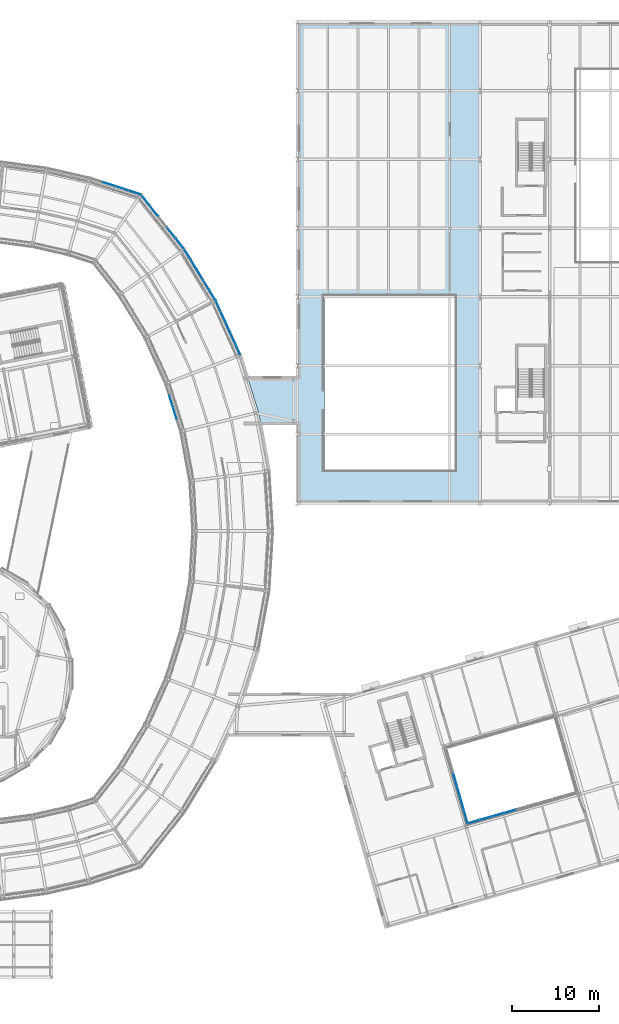
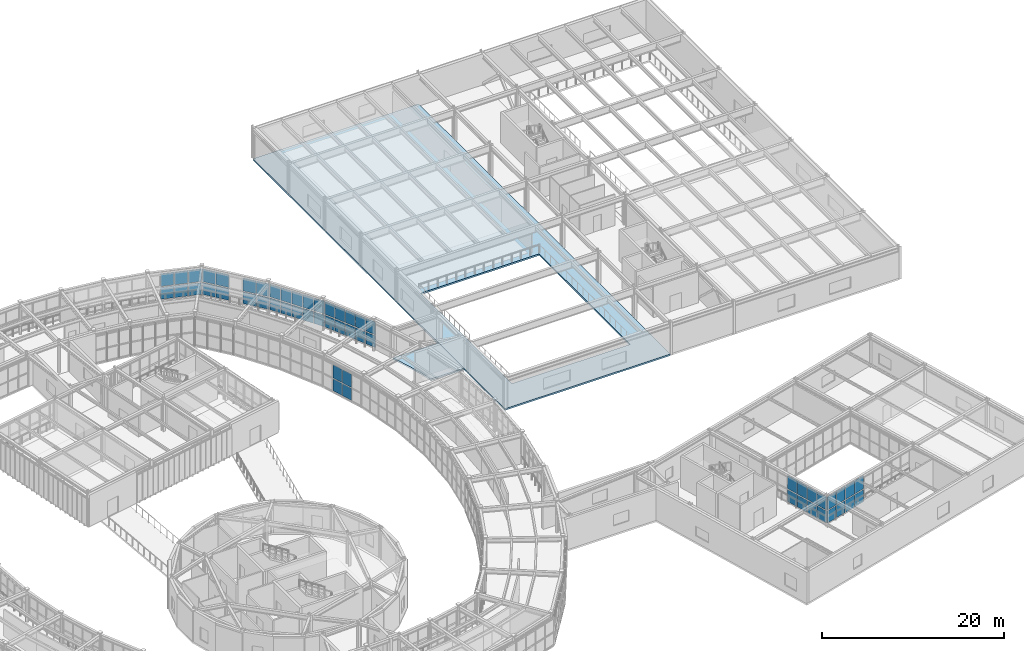
# One storey, part 67 of 103: 54 plates, 2 slabs, 7 elements without a shape of their own.
"""IFC4 building model written with IfcOpenShell, lengths in metres."""

from ifc_helpers import new_model, si_unit, direction, frame, origin, origin_2d, place, context, subcontext, project, spatial, polyline, rectangle, outline, extrude, material, layer, layer_set, type_object, element, aggregate, save


model = new_model("IFC4")

# Units and contexts
model_context = context("Model", 3, precision=1e-05, world=origin(), true_north=direction((0.0, 1.0)))
body_context = subcontext(model_context, "Body", "Model", "MODEL_VIEW")
ifc_project = project(units=[si_unit("LENGTHUNIT", "METRE"), si_unit("AREAUNIT", "SQUARE_METRE"), si_unit("VOLUMEUNIT", "CUBIC_METRE"), si_unit("PLANEANGLEUNIT", "RADIAN"), si_unit("MASSUNIT", "GRAM", prefix="KILO")], contexts=[model_context])

# Site, building, storey
site_placement = place(None, origin())
site = spatial("IfcSite", under=ifc_project, at=site_placement, CompositionType="ELEMENT")
building_placement = place(site_placement, origin())
building = spatial("IfcBuilding", under=site, at=building_placement, Name="Varnklinge Art Gallery", CompositionType="ELEMENT")
storey_placement = place(building_placement, frame((0.0, 0.0, 5.10009765625)))
storey = spatial("IfcBuildingStorey", under=building, at=storey_placement, Name="L01", CompositionType="ELEMENT", Elevation=5.10009765625)

# Curtain wall, plates
ifc_material_1 = material(Name="Anodised Aluminium", Category="aluminium")
curtain_wall_type_1 = type_object("IfcCurtainWallType", Name="CW-R04", PredefinedType="USERDEFINED", material=ifc_material_1)
curtain_wall_1_placement = place(storey_placement, origin())
curtain_wall_1 = element("IfcCurtainWall", 1, at=curtain_wall_1_placement, inside=storey, type_object=curtain_wall_type_1, Name="L01 Curtain Wall CW-V2I-L01-09", ObjectType="UNITISED CURTAIN WALL", PredefinedType="USERDEFINED")
ifc_material_2 = material(Name="Insulated Low-E Triple Glazing", Category="glass")
ifc_layer_1 = layer(ifc_material_2, 0.031982421875)
ifc_layer_set_1 = layer_set([ifc_layer_1], Name="Insulated Low-E Triple Glazing")
plate_type_1 = type_object("IfcPlateType", Name="GLZ-32", PredefinedType="CURTAIN_PANEL", material=ifc_layer_set_1)
plate_1_placement = place(storey_placement, frame((99.91259765625, 69.8662109375, 0.11767578125), z_axis=(0.0, 0.0, 1.0), x_axis=(0.299706904751, -0.954031326134, 0.0)))
plate_1 = element("IfcPlate", 2, at=plate_1_placement, type_object=plate_type_1, Name="CW-V2I-L01-09 Glazing Panel 2.1", PredefinedType="CURTAIN_PANEL", context=body_context, shape_type="SweptSolid", body=[
    extrude(rectangle(XDim=1.3857421875, YDim=0.031982421875, at=origin_2d()), origin(), (0.0, 0.0, 1.0), 1.614501953125),
])
plate_2_placement = place(storey_placement, frame((99.91259765625, 69.8662109375, 1.84814453125), z_axis=(0.0, 0.0, 1.0), x_axis=(0.299706904751, -0.954031326134, 0.0)))
plate_2 = element("IfcPlate", 3, at=plate_2_placement, type_object=plate_type_1, Name="CW-V2I-L01-09 Glazing Panel 2.2", PredefinedType="CURTAIN_PANEL", context=body_context, shape_type="SweptSolid", body=[
    extrude(rectangle(XDim=1.3857421875, YDim=0.031982421875, at=origin_2d()), origin(), (0.0, 0.0, 1.0), 1.763671875),
])
plate_3_placement = place(storey_placement, frame((100.3447265625, 68.49072265625, 0.11767578125), z_axis=(0.0, 0.0, 1.0), x_axis=(0.299706904751, -0.954031326134, 0.0)))
plate_3 = element("IfcPlate", 4, at=plate_3_placement, type_object=plate_type_1, Name="CW-V2I-L01-09 Glazing Panel 3.1", PredefinedType="CURTAIN_PANEL", context=body_context, shape_type="SweptSolid", body=[
    extrude(rectangle(XDim=1.3857421875, YDim=0.031982421875, at=origin_2d()), origin(), (0.0, 0.0, 1.0), 1.614501953125),
])
plate_4_placement = place(storey_placement, frame((100.3447265625, 68.49072265625, 1.84814453125), z_axis=(0.0, 0.0, 1.0), x_axis=(0.299706904751, -0.954031326134, 0.0)))
plate_4 = element("IfcPlate", 5, at=plate_4_placement, type_object=plate_type_1, Name="CW-V2I-L01-09 Glazing Panel 3.2", PredefinedType="CURTAIN_PANEL", context=body_context, shape_type="SweptSolid", body=[
    extrude(rectangle(XDim=1.3857421875, YDim=0.031982421875, at=origin_2d()), origin(), (0.0, 0.0, 1.0), 1.763671875),
])
aggregate(curtain_wall_1, [plate_1, plate_2, plate_3, plate_4])

ifc_material_3 = material(Name="Anodised Aluminium", Category="aluminium")
curtain_wall_type_2 = type_object("IfcCurtainWallType", Name="CW-C02", PredefinedType="USERDEFINED", material=ifc_material_3)
curtain_wall_2_placement = place(storey_placement, origin())
curtain_wall_2 = element("IfcCurtainWall", 6, at=curtain_wall_2_placement, inside=storey, type_object=curtain_wall_type_2, Name="L01 Curtain Wall CW-V6C-L01-1", ObjectType="UNITISED CURTAIN WALL", PredefinedType="USERDEFINED")
plate_5_placement = place(storey_placement, frame((138.851806640625, 22.776123046875, 0.117919921875), z_axis=(0.0, 0.0, 1.0), x_axis=(-0.961261695938, -0.275637355817, 0.0)))
plate_5 = element("IfcPlate", 7, at=plate_5_placement, type_object=plate_type_1, Name="CW-V6C-L01-1 Glazing Panel 6.1", PredefinedType="CURTAIN_PANEL", context=body_context, shape_type="SweptSolid", body=[
    extrude(rectangle(XDim=1.388427734375, YDim=0.031982421875, at=origin_2d()), origin(), (0.0, 0.0, 1.0), 1.6240234375),
])
plate_6_placement = place(storey_placement, frame((138.851806640625, 22.776123046875, 1.85791015625), z_axis=(0.0, 0.0, 1.0), x_axis=(-0.961261695938, -0.275637355817, 0.0)))
plate_6 = element("IfcPlate", 8, at=plate_6_placement, type_object=plate_type_1, Name="CW-V6C-L01-1 Glazing Panel 6.2", PredefinedType="CURTAIN_PANEL", context=body_context, shape_type="SweptSolid", body=[
    extrude(rectangle(XDim=1.388427734375, YDim=0.031982421875, at=origin_2d()), origin(), (0.0, 0.0, 1.0), 1.77392578125),
])
plate_7_placement = place(storey_placement, frame((137.46337890625, 22.378173828125, 0.117919921875), z_axis=(0.0, 0.0, 1.0), x_axis=(-0.961261695938, -0.275637355817, 0.0)))
plate_7 = element("IfcPlate", 9, at=plate_7_placement, type_object=plate_type_1, Name="CW-V6C-L01-1 Glazing Panel 7.1", PredefinedType="CURTAIN_PANEL", context=body_context, shape_type="SweptSolid", body=[
    extrude(rectangle(XDim=1.388427734375, YDim=0.031982421875, at=origin_2d()), origin(), (0.0, 0.0, 1.0), 1.6240234375),
])
plate_8_placement = place(storey_placement, frame((137.46337890625, 22.378173828125, 1.85791015625), z_axis=(0.0, 0.0, 1.0), x_axis=(-0.961261695938, -0.275637355817, 0.0)))
plate_8 = element("IfcPlate", 10, at=plate_8_placement, type_object=plate_type_1, Name="CW-V6C-L01-1 Glazing Panel 7.2", PredefinedType="CURTAIN_PANEL", context=body_context, shape_type="SweptSolid", body=[
    extrude(rectangle(XDim=1.388427734375, YDim=0.031982421875, at=origin_2d()), origin(), (0.0, 0.0, 1.0), 1.77392578125),
])
plate_9_placement = place(storey_placement, frame((136.074951171875, 21.97998046875, 0.117919921875), z_axis=(0.0, 0.0, 1.0), x_axis=(-0.961261695938, -0.275637355817, 0.0)))
plate_9 = element("IfcPlate", 11, at=plate_9_placement, type_object=plate_type_1, Name="CW-V6C-L01-1 Glazing Panel 8.1", PredefinedType="CURTAIN_PANEL", context=body_context, shape_type="SweptSolid", body=[
    extrude(rectangle(XDim=1.388427734375, YDim=0.031982421875, at=origin_2d()), origin(), (0.0, 0.0, 1.0), 1.6240234375),
])
plate_10_placement = place(storey_placement, frame((136.074951171875, 21.97998046875, 1.85791015625), z_axis=(0.0, 0.0, 1.0), x_axis=(-0.961261695938, -0.275637355817, 0.0)))
plate_10 = element("IfcPlate", 12, at=plate_10_placement, type_object=plate_type_1, Name="CW-V6C-L01-1 Glazing Panel 8.2", PredefinedType="CURTAIN_PANEL", context=body_context, shape_type="SweptSolid", body=[
    extrude(rectangle(XDim=1.388427734375, YDim=0.031982421875, at=origin_2d()), origin(), (0.0, 0.0, 1.0), 1.77392578125),
])
plate_11_placement = place(storey_placement, frame((134.700927734375, 21.5859375, 0.117919921875), z_axis=(0.0, 0.0, 1.0), x_axis=(-0.961261695938, -0.275637355817, 0.0)))
plate_11 = element("IfcPlate", 13, at=plate_11_placement, type_object=plate_type_1, Name="CW-V6C-L01-1 Glazing Panel 9.1", PredefinedType="CURTAIN_PANEL", context=body_context, shape_type="SweptSolid", body=[
    extrude(rectangle(XDim=1.3583984375, YDim=0.031982421875, at=origin_2d()), origin(), (0.0, 0.0, 1.0), 1.6240234375),
])
plate_12_placement = place(storey_placement, frame((134.700927734375, 21.5859375, 1.85791015625), z_axis=(0.0, 0.0, 1.0), x_axis=(-0.961261695938, -0.275637355817, 0.0)))
plate_12 = element("IfcPlate", 14, at=plate_12_placement, type_object=plate_type_1, Name="CW-V6C-L01-1 Glazing Panel 9.2", PredefinedType="CURTAIN_PANEL", context=body_context, shape_type="SweptSolid", body=[
    extrude(rectangle(XDim=1.3583984375, YDim=0.031982421875, at=origin_2d()), origin(), (0.0, 0.0, 1.0), 1.77392578125),
])
aggregate(curtain_wall_2, [plate_5, plate_6, plate_7, plate_8, plate_9, plate_10, plate_11, plate_12])

curtain_wall_3_placement = place(storey_placement, origin())
curtain_wall_3 = element("IfcCurtainWall", 15, at=curtain_wall_3_placement, inside=storey, type_object=curtain_wall_type_2, Name="L01 Curtain Wall CW-V6C-L01-4", ObjectType="UNITISED CURTAIN WALL", PredefinedType="USERDEFINED")
plate_13_placement = place(storey_placement, frame((133.78125, 22.1181640625, 0.117919921875), z_axis=(0.0, 0.0, 1.0), x_axis=(-0.275637355817, 0.961261695938, 0.0)))
plate_13 = element("IfcPlate", 16, at=plate_13_placement, type_object=plate_type_1, Name="CW-V6C-L01-4 Glazing Panel 1.1", PredefinedType="CURTAIN_PANEL", context=body_context, shape_type="SweptSolid", body=[
    extrude(rectangle(XDim=1.4140625, YDim=0.031982421875, at=origin_2d()), origin(), (0.0, 0.0, 1.0), 1.6240234375),
])
plate_14_placement = place(storey_placement, frame((133.78125, 22.1181640625, 1.85791015625), z_axis=(0.0, 0.0, 1.0), x_axis=(-0.275637355817, 0.961261695938, 0.0)))
plate_14 = element("IfcPlate", 17, at=plate_14_placement, type_object=plate_type_1, Name="CW-V6C-L01-4 Glazing Panel 1.2", PredefinedType="CURTAIN_PANEL", context=body_context, shape_type="SweptSolid", body=[
    extrude(rectangle(XDim=1.4140625, YDim=0.031982421875, at=origin_2d()), origin(), (0.0, 0.0, 1.0), 1.77392578125),
])
plate_15_placement = place(storey_placement, frame((133.3720703125, 23.54541015625, 0.117919921875), z_axis=(0.0, 0.0, 1.0), x_axis=(-0.275637355817, 0.961261695938, 0.0)))
plate_15 = element("IfcPlate", 18, at=plate_15_placement, type_object=plate_type_1, Name="CW-V6C-L01-4 Glazing Panel 2.1", PredefinedType="CURTAIN_PANEL", context=body_context, shape_type="SweptSolid", body=[
    extrude(rectangle(XDim=1.444091796875, YDim=0.031982421875, at=origin_2d()), origin(), (0.0, 0.0, 1.0), 1.6240234375),
])
plate_16_placement = place(storey_placement, frame((133.3720703125, 23.54541015625, 1.85791015625), z_axis=(0.0, 0.0, 1.0), x_axis=(-0.275637355817, 0.961261695938, 0.0)))
plate_16 = element("IfcPlate", 19, at=plate_16_placement, type_object=plate_type_1, Name="CW-V6C-L01-4 Glazing Panel 2.2", PredefinedType="CURTAIN_PANEL", context=body_context, shape_type="SweptSolid", body=[
    extrude(rectangle(XDim=1.444091796875, YDim=0.031982421875, at=origin_2d()), origin(), (0.0, 0.0, 1.0), 1.77392578125),
])
plate_17_placement = place(storey_placement, frame((132.95849609375, 24.9873046875, 0.117919921875), z_axis=(0.0, 0.0, 1.0), x_axis=(-0.275637355817, 0.961261695938, 0.0)))
plate_17 = element("IfcPlate", 20, at=plate_17_placement, type_object=plate_type_1, Name="CW-V6C-L01-4 Glazing Panel 3.1", PredefinedType="CURTAIN_PANEL", context=body_context, shape_type="SweptSolid", body=[
    extrude(rectangle(XDim=1.444091796875, YDim=0.031982421875, at=origin_2d()), origin(), (0.0, 0.0, 1.0), 1.6240234375),
])
plate_18_placement = place(storey_placement, frame((132.95849609375, 24.9873046875, 1.85791015625), z_axis=(0.0, 0.0, 1.0), x_axis=(-0.275637355817, 0.961261695938, 0.0)))
plate_18 = element("IfcPlate", 21, at=plate_18_placement, type_object=plate_type_1, Name="CW-V6C-L01-4 Glazing Panel 3.2", PredefinedType="CURTAIN_PANEL", context=body_context, shape_type="SweptSolid", body=[
    extrude(rectangle(XDim=1.444091796875, YDim=0.031982421875, at=origin_2d()), origin(), (0.0, 0.0, 1.0), 1.77392578125),
])
plate_19_placement = place(storey_placement, frame((132.545166015625, 26.42919921875, 0.117919921875), z_axis=(0.0, 0.0, 1.0), x_axis=(-0.275637355817, 0.961261695938, 0.0)))
plate_19 = element("IfcPlate", 22, at=plate_19_placement, type_object=plate_type_1, Name="CW-V6C-L01-4 Glazing Panel 4.1", PredefinedType="CURTAIN_PANEL", context=body_context, shape_type="SweptSolid", body=[
    extrude(rectangle(XDim=1.444091796875, YDim=0.031982421875, at=origin_2d()), origin(), (0.0, 0.0, 1.0), 1.6240234375),
])
plate_20_placement = place(storey_placement, frame((132.545166015625, 26.42919921875, 1.85791015625), z_axis=(0.0, 0.0, 1.0), x_axis=(-0.275637355817, 0.961261695938, 0.0)))
plate_20 = element("IfcPlate", 23, at=plate_20_placement, type_object=plate_type_1, Name="CW-V6C-L01-4 Glazing Panel 4.2", PredefinedType="CURTAIN_PANEL", context=body_context, shape_type="SweptSolid", body=[
    extrude(rectangle(XDim=1.444091796875, YDim=0.031982421875, at=origin_2d()), origin(), (0.0, 0.0, 1.0), 1.77392578125),
])
aggregate(curtain_wall_3, [plate_13, plate_14, plate_15, plate_16, plate_17, plate_18, plate_19, plate_20])

ifc_material_4 = material(Name="Anodised Aluminium", Category="aluminium")
curtain_wall_type_3 = type_object("IfcCurtainWallType", Name="CW-R02", PredefinedType="USERDEFINED", material=ifc_material_4)
curtain_wall_4_placement = place(storey_placement, origin())
curtain_wall_4 = element("IfcCurtainWall", 24, at=curtain_wall_4_placement, inside=storey, type_object=curtain_wall_type_3, Name="L01 Curtain Wall CW-V2O-L01-10", ObjectType="UNITISED CURTAIN WALL", PredefinedType="USERDEFINED")
ifc_material_5 = material(Name="Insulated Low-E Triple Glazing", Category="glass")
ifc_layer_2 = layer(ifc_material_5, 0.0380859375)
ifc_layer_set_2 = layer_set([ifc_layer_2], Name="Insulated Low-E Triple Glazing")
plate_type_2 = type_object("IfcPlateType", Name="GLZ-38", PredefinedType="CURTAIN_PANEL", material=ifc_layer_set_2)
plate_21_placement = place(storey_placement, frame((107.581787109375, 75.8642578125, 0.14794921875), z_axis=(0.0, 0.0, 1.0), x_axis=(-0.413422293217, 0.910539404678, 0.0)))
plate_21 = element("IfcPlate", 25, at=plate_21_placement, type_object=plate_type_2, Name="CW-V2O-L01-10 Glazing Panel 1.1", PredefinedType="CURTAIN_PANEL", context=body_context, shape_type="SweptSolid", body=[
    extrude(rectangle(XDim=1.2841796875, YDim=0.0380859375, at=origin_2d()), origin(), (0.0, 0.0, 1.0), 1.5693359375),
])
plate_22_placement = place(storey_placement, frame((107.581787109375, 75.8642578125, 1.86328125), z_axis=(0.0, 0.0, 1.0), x_axis=(-0.413422293217, 0.910539404678, 0.0)))
plate_22 = element("IfcPlate", 26, at=plate_22_placement, type_object=plate_type_2, Name="CW-V2O-L01-10 Glazing Panel 1.2", PredefinedType="CURTAIN_PANEL", context=body_context, shape_type="SweptSolid", body=[
    extrude(rectangle(XDim=1.2841796875, YDim=0.0380859375, at=origin_2d()), origin(), (0.0, 0.0, 1.0), 1.718505859375),
])
plate_23_placement = place(storey_placement, frame((107.01904296875, 77.10400390625, 0.14794921875), z_axis=(0.0, 0.0, 1.0), x_axis=(-0.413422293217, 0.910539404678, 0.0)))
plate_23 = element("IfcPlate", 27, at=plate_23_placement, type_object=plate_type_2, Name="CW-V2O-L01-10 Glazing Panel 2.1", PredefinedType="CURTAIN_PANEL", context=body_context, shape_type="SweptSolid", body=[
    extrude(rectangle(XDim=1.31689453125, YDim=0.0380859375, at=origin_2d()), origin(), (0.0, 0.0, 1.0), 1.5693359375),
])
plate_24_placement = place(storey_placement, frame((107.01904296875, 77.10400390625, 1.86328125), z_axis=(0.0, 0.0, 1.0), x_axis=(-0.413422293217, 0.910539404678, 0.0)))
plate_24 = element("IfcPlate", 28, at=plate_24_placement, type_object=plate_type_2, Name="CW-V2O-L01-10 Glazing Panel 2.2", PredefinedType="CURTAIN_PANEL", context=body_context, shape_type="SweptSolid", body=[
    extrude(rectangle(XDim=1.31689453125, YDim=0.0380859375, at=origin_2d()), origin(), (0.0, 0.0, 1.0), 1.718505859375),
])
plate_25_placement = place(storey_placement, frame((106.449462890625, 78.3583984375, 0.14794921875), z_axis=(0.0, 0.0, 1.0), x_axis=(-0.413422293217, 0.910539404678, 0.0)))
plate_25 = element("IfcPlate", 29, at=plate_25_placement, type_object=plate_type_2, Name="CW-V2O-L01-10 Glazing Panel 3.1", PredefinedType="CURTAIN_PANEL", context=body_context, shape_type="SweptSolid", body=[
    extrude(rectangle(XDim=1.31689453125, YDim=0.0380859375, at=origin_2d()), origin(), (0.0, 0.0, 1.0), 1.5693359375),
])
plate_26_placement = place(storey_placement, frame((106.449462890625, 78.3583984375, 1.86328125), z_axis=(0.0, 0.0, 1.0), x_axis=(-0.413422293217, 0.910539404678, 0.0)))
plate_26 = element("IfcPlate", 30, at=plate_26_placement, type_object=plate_type_2, Name="CW-V2O-L01-10 Glazing Panel 3.2", PredefinedType="CURTAIN_PANEL", context=body_context, shape_type="SweptSolid", body=[
    extrude(rectangle(XDim=1.31689453125, YDim=0.0380859375, at=origin_2d()), origin(), (0.0, 0.0, 1.0), 1.718505859375),
])
plate_27_placement = place(storey_placement, frame((105.8798828125, 79.613037109375, 0.14794921875), z_axis=(0.0, 0.0, 1.0), x_axis=(-0.413422293217, 0.910539404678, 0.0)))
plate_27 = element("IfcPlate", 31, at=plate_27_placement, type_object=plate_type_2, Name="CW-V2O-L01-10 Glazing Panel 4.1", PredefinedType="CURTAIN_PANEL", context=body_context, shape_type="SweptSolid", body=[
    extrude(rectangle(XDim=1.31689453125, YDim=0.0380859375, at=origin_2d()), origin(), (0.0, 0.0, 1.0), 1.5693359375),
])
plate_28_placement = place(storey_placement, frame((105.8798828125, 79.613037109375, 1.86328125), z_axis=(0.0, 0.0, 1.0), x_axis=(-0.413422293217, 0.910539404678, 0.0)))
plate_28 = element("IfcPlate", 32, at=plate_28_placement, type_object=plate_type_2, Name="CW-V2O-L01-10 Glazing Panel 4.2", PredefinedType="CURTAIN_PANEL", context=body_context, shape_type="SweptSolid", body=[
    extrude(rectangle(XDim=1.31689453125, YDim=0.0380859375, at=origin_2d()), origin(), (0.0, 0.0, 1.0), 1.718505859375),
])
plate_29_placement = place(storey_placement, frame((105.31689453125, 80.852783203125, 0.14794921875), z_axis=(0.0, 0.0, 1.0), x_axis=(-0.413422293217, 0.910539404678, 0.0)))
plate_29 = element("IfcPlate", 33, at=plate_29_placement, type_object=plate_type_2, Name="CW-V2O-L01-10 Glazing Panel 5.1", PredefinedType="CURTAIN_PANEL", context=body_context, shape_type="SweptSolid", body=[
    extrude(rectangle(XDim=1.2841796875, YDim=0.0380859375, at=origin_2d()), origin(), (0.0, 0.0, 1.0), 1.5693359375),
])
plate_30_placement = place(storey_placement, frame((105.31689453125, 80.852783203125, 1.86328125), z_axis=(0.0, 0.0, 1.0), x_axis=(-0.413422293217, 0.910539404678, 0.0)))
plate_30 = element("IfcPlate", 34, at=plate_30_placement, type_object=plate_type_2, Name="CW-V2O-L01-10 Glazing Panel 5.2", PredefinedType="CURTAIN_PANEL", context=body_context, shape_type="SweptSolid", body=[
    extrude(rectangle(XDim=1.2841796875, YDim=0.0380859375, at=origin_2d()), origin(), (0.0, 0.0, 1.0), 1.718505859375),
])
aggregate(curtain_wall_4, [plate_21, plate_22, plate_23, plate_24, plate_25, plate_26, plate_27, plate_28, plate_29, plate_30])

curtain_wall_5_placement = place(storey_placement, origin())
curtain_wall_5 = element("IfcCurtainWall", 35, at=curtain_wall_5_placement, inside=storey, type_object=curtain_wall_type_3, Name="L01 Curtain Wall CW-V2O-L01-11", ObjectType="UNITISED CURTAIN WALL", PredefinedType="USERDEFINED")
plate_31_placement = place(storey_placement, frame((104.658203125, 82.0966796875, 0.14794921875), z_axis=(0.0, 0.0, 1.0), x_axis=(-0.520860651188, 0.85364171761, 0.0)))
plate_31 = element("IfcPlate", 36, at=plate_31_placement, type_object=plate_type_2, Name="CW-V2O-L01-11 Glazing Panel 1.1", PredefinedType="CURTAIN_PANEL", context=body_context, shape_type="SweptSolid", body=[
    extrude(rectangle(XDim=1.2841796875, YDim=0.0380859375, at=origin_2d()), origin(), (0.0, 0.0, 1.0), 1.5693359375),
])
plate_32_placement = place(storey_placement, frame((104.658203125, 82.0966796875, 1.86328125), z_axis=(0.0, 0.0, 1.0), x_axis=(-0.520860651188, 0.85364171761, 0.0)))
plate_32 = element("IfcPlate", 37, at=plate_32_placement, type_object=plate_type_2, Name="CW-V2O-L01-11 Glazing Panel 1.2", PredefinedType="CURTAIN_PANEL", context=body_context, shape_type="SweptSolid", body=[
    extrude(rectangle(XDim=1.2841796875, YDim=0.0380859375, at=origin_2d()), origin(), (0.0, 0.0, 1.0), 1.718505859375),
])
plate_33_placement = place(storey_placement, frame((103.948974609375, 83.2587890625, 0.14794921875), z_axis=(0.0, 0.0, 1.0), x_axis=(-0.520860651188, 0.85364171761, 0.0)))
plate_33 = element("IfcPlate", 38, at=plate_33_placement, type_object=plate_type_2, Name="CW-V2O-L01-11 Glazing Panel 2.1", PredefinedType="CURTAIN_PANEL", context=body_context, shape_type="SweptSolid", body=[
    extrude(rectangle(XDim=1.316650390625, YDim=0.0380859375, at=origin_2d()), origin(), (0.0, 0.0, 1.0), 1.5693359375),
])
plate_34_placement = place(storey_placement, frame((103.948974609375, 83.2587890625, 1.86328125), z_axis=(0.0, 0.0, 1.0), x_axis=(-0.520860651188, 0.85364171761, 0.0)))
plate_34 = element("IfcPlate", 39, at=plate_34_placement, type_object=plate_type_2, Name="CW-V2O-L01-11 Glazing Panel 2.2", PredefinedType="CURTAIN_PANEL", context=body_context, shape_type="SweptSolid", body=[
    extrude(rectangle(XDim=1.316650390625, YDim=0.0380859375, at=origin_2d()), origin(), (0.0, 0.0, 1.0), 1.718505859375),
])
plate_35_placement = place(storey_placement, frame((103.231201171875, 84.434814453125, 0.14794921875), z_axis=(0.0, 0.0, 1.0), x_axis=(-0.520860651188, 0.85364171761, 0.0)))
plate_35 = element("IfcPlate", 40, at=plate_35_placement, type_object=plate_type_2, Name="CW-V2O-L01-11 Glazing Panel 3.1", PredefinedType="CURTAIN_PANEL", context=body_context, shape_type="SweptSolid", body=[
    extrude(rectangle(XDim=1.316650390625, YDim=0.0380859375, at=origin_2d()), origin(), (0.0, 0.0, 1.0), 1.5693359375),
])
plate_36_placement = place(storey_placement, frame((103.231201171875, 84.434814453125, 1.86328125), z_axis=(0.0, 0.0, 1.0), x_axis=(-0.520860651188, 0.85364171761, 0.0)))
plate_36 = element("IfcPlate", 41, at=plate_36_placement, type_object=plate_type_2, Name="CW-V2O-L01-11 Glazing Panel 3.2", PredefinedType="CURTAIN_PANEL", context=body_context, shape_type="SweptSolid", body=[
    extrude(rectangle(XDim=1.316650390625, YDim=0.0380859375, at=origin_2d()), origin(), (0.0, 0.0, 1.0), 1.718505859375),
])
plate_37_placement = place(storey_placement, frame((102.513427734375, 85.61083984375, 0.14794921875), z_axis=(0.0, 0.0, 1.0), x_axis=(-0.520860651188, 0.85364171761, 0.0)))
plate_37 = element("IfcPlate", 42, at=plate_37_placement, type_object=plate_type_2, Name="CW-V2O-L01-11 Glazing Panel 4.1", PredefinedType="CURTAIN_PANEL", context=body_context, shape_type="SweptSolid", body=[
    extrude(rectangle(XDim=1.316650390625, YDim=0.0380859375, at=origin_2d()), origin(), (0.0, 0.0, 1.0), 1.5693359375),
])
plate_38_placement = place(storey_placement, frame((102.513427734375, 85.61083984375, 1.86328125), z_axis=(0.0, 0.0, 1.0), x_axis=(-0.520860651188, 0.85364171761, 0.0)))
plate_38 = element("IfcPlate", 43, at=plate_38_placement, type_object=plate_type_2, Name="CW-V2O-L01-11 Glazing Panel 4.2", PredefinedType="CURTAIN_PANEL", context=body_context, shape_type="SweptSolid", body=[
    extrude(rectangle(XDim=1.316650390625, YDim=0.0380859375, at=origin_2d()), origin(), (0.0, 0.0, 1.0), 1.718505859375),
])
plate_39_placement = place(storey_placement, frame((101.80419921875, 86.773193359375, 0.14794921875), z_axis=(0.0, 0.0, 1.0), x_axis=(-0.520860651188, 0.85364171761, 0.0)))
plate_39 = element("IfcPlate", 44, at=plate_39_placement, type_object=plate_type_2, Name="CW-V2O-L01-11 Glazing Panel 5.1", PredefinedType="CURTAIN_PANEL", context=body_context, shape_type="SweptSolid", body=[
    extrude(rectangle(XDim=1.2841796875, YDim=0.0380859375, at=origin_2d()), origin(), (0.0, 0.0, 1.0), 1.5693359375),
])
plate_40_placement = place(storey_placement, frame((101.80419921875, 86.773193359375, 1.86328125), z_axis=(0.0, 0.0, 1.0), x_axis=(-0.520860651188, 0.85364171761, 0.0)))
plate_40 = element("IfcPlate", 45, at=plate_40_placement, type_object=plate_type_2, Name="CW-V2O-L01-11 Glazing Panel 5.2", PredefinedType="CURTAIN_PANEL", context=body_context, shape_type="SweptSolid", body=[
    extrude(rectangle(XDim=1.2841796875, YDim=0.0380859375, at=origin_2d()), origin(), (0.0, 0.0, 1.0), 1.718505859375),
])
aggregate(curtain_wall_5, [plate_31, plate_32, plate_33, plate_34, plate_35, plate_36, plate_37, plate_38, plate_39, plate_40])

curtain_wall_6_placement = place(storey_placement, origin())
curtain_wall_6 = element("IfcCurtainWall", 46, at=curtain_wall_6_placement, inside=storey, type_object=curtain_wall_type_3, Name="L01 Curtain Wall CW-V2O-L01-12", ObjectType="UNITISED CURTAIN WALL", PredefinedType="USERDEFINED")
plate_41_placement = place(storey_placement, frame((100.930419921875, 88.014892578125, 0.14794921875), z_axis=(0.0, 0.0, 1.0), x_axis=(-0.620737354217, 0.784018582101, 0.0)))
plate_41 = element("IfcPlate", 47, at=plate_41_placement, type_object=plate_type_2, Name="CW-V2O-L01-12 Glazing Panel 1.1", PredefinedType="CURTAIN_PANEL", context=body_context, shape_type="SweptSolid", body=[
    extrude(rectangle(XDim=1.506591796875, YDim=0.0380859375, at=origin_2d()), origin(), (0.0, 0.0, 1.0), 1.5693359375),
])
plate_42_placement = place(storey_placement, frame((100.930419921875, 88.014892578125, 1.86328125), z_axis=(0.0, 0.0, 1.0), x_axis=(-0.620737354217, 0.784018582101, 0.0)))
plate_42 = element("IfcPlate", 48, at=plate_42_placement, type_object=plate_type_2, Name="CW-V2O-L01-12 Glazing Panel 1.2", PredefinedType="CURTAIN_PANEL", context=body_context, shape_type="SweptSolid", body=[
    extrude(rectangle(XDim=1.506591796875, YDim=0.0380859375, at=origin_2d()), origin(), (0.0, 0.0, 1.0), 1.718505859375),
])
plate_43_placement = place(storey_placement, frame((99.947021484375, 89.256591796875, 0.14794921875), z_axis=(0.0, 0.0, 1.0), x_axis=(-0.620737354217, 0.784018582101, 0.0)))
plate_43 = element("IfcPlate", 49, at=plate_43_placement, type_object=plate_type_2, Name="CW-V2O-L01-12 Glazing Panel 2.1", PredefinedType="CURTAIN_PANEL", context=body_context, shape_type="SweptSolid", body=[
    extrude(rectangle(XDim=1.5390625, YDim=0.0380859375, at=origin_2d()), origin(), (0.0, 0.0, 1.0), 1.5693359375),
])
plate_44_placement = place(storey_placement, frame((99.947021484375, 89.256591796875, 1.86328125), z_axis=(0.0, 0.0, 1.0), x_axis=(-0.620737354217, 0.784018582101, 0.0)))
plate_44 = element("IfcPlate", 50, at=plate_44_placement, type_object=plate_type_2, Name="CW-V2O-L01-12 Glazing Panel 2.2", PredefinedType="CURTAIN_PANEL", context=body_context, shape_type="SweptSolid", body=[
    extrude(rectangle(XDim=1.5390625, YDim=0.0380859375, at=origin_2d()), origin(), (0.0, 0.0, 1.0), 1.718505859375),
])
plate_45_placement = place(storey_placement, frame((97.96044921875, 91.765380859375, 0.14794921875), z_axis=(0.0, 0.0, 1.0), x_axis=(-0.620737354217, 0.784018582101, 0.0)))
plate_45 = element("IfcPlate", 51, at=plate_45_placement, type_object=plate_type_2, Name="CW-V2O-L01-12 Glazing Panel 4.1", PredefinedType="CURTAIN_PANEL", context=body_context, shape_type="SweptSolid", body=[
    extrude(rectangle(XDim=1.5390625, YDim=0.0380859375, at=origin_2d()), origin(), (0.0, 0.0, 1.0), 1.5693359375),
])
plate_46_placement = place(storey_placement, frame((97.96044921875, 91.765380859375, 1.86328125), z_axis=(0.0, 0.0, 1.0), x_axis=(-0.620737354217, 0.784018582101, 0.0)))
plate_46 = element("IfcPlate", 52, at=plate_46_placement, type_object=plate_type_2, Name="CW-V2O-L01-12 Glazing Panel 4.2", PredefinedType="CURTAIN_PANEL", context=body_context, shape_type="SweptSolid", body=[
    extrude(rectangle(XDim=1.5390625, YDim=0.0380859375, at=origin_2d()), origin(), (0.0, 0.0, 1.0), 1.718505859375),
])
plate_47_placement = place(storey_placement, frame((96.977294921875, 93.007080078125, 0.14794921875), z_axis=(0.0, 0.0, 1.0), x_axis=(-0.620737354217, 0.784018582101, 0.0)))
plate_47 = element("IfcPlate", 53, at=plate_47_placement, type_object=plate_type_2, Name="CW-V2O-L01-12 Glazing Panel 5.1", PredefinedType="CURTAIN_PANEL", context=body_context, shape_type="SweptSolid", body=[
    extrude(rectangle(XDim=1.506591796875, YDim=0.0380859375, at=origin_2d()), origin(), (0.0, 0.0, 1.0), 1.5693359375),
])
plate_48_placement = place(storey_placement, frame((96.977294921875, 93.007080078125, 1.86328125), z_axis=(0.0, 0.0, 1.0), x_axis=(-0.620737354217, 0.784018582101, 0.0)))
plate_48 = element("IfcPlate", 54, at=plate_48_placement, type_object=plate_type_2, Name="CW-V2O-L01-12 Glazing Panel 5.2", PredefinedType="CURTAIN_PANEL", context=body_context, shape_type="SweptSolid", body=[
    extrude(rectangle(XDim=1.506591796875, YDim=0.0380859375, at=origin_2d()), origin(), (0.0, 0.0, 1.0), 1.718505859375),
])
aggregate(curtain_wall_6, [plate_41, plate_42, plate_43, plate_44, plate_45, plate_46, plate_47, plate_48])

curtain_wall_7_placement = place(storey_placement, origin())
curtain_wall_7 = element("IfcCurtainWall", 55, at=curtain_wall_7_placement, inside=storey, type_object=curtain_wall_type_3, Name="L01 Curtain Wall CW-V2O-L01-13", ObjectType="UNITISED CURTAIN WALL", PredefinedType="USERDEFINED")
plate_49_placement = place(storey_placement, frame((95.711669921875, 93.893310546875, 0.14794921875), z_axis=(0.0, 0.0, 1.0), x_axis=(-0.951272019071, 0.30835295642, 0.0)))
plate_49 = element("IfcPlate", 56, at=plate_49_placement, type_object=plate_type_2, Name="CW-V2O-L01-13 Glazing Panel 1.1", PredefinedType="CURTAIN_PANEL", context=body_context, shape_type="SweptSolid", body=[
    extrude(rectangle(XDim=1.469482421875, YDim=0.0380859375, at=origin_2d()), origin(), (0.0, 0.0, 1.0), 1.5693359375),
])
plate_50_placement = place(storey_placement, frame((95.711669921875, 93.893310546875, 1.86328125), z_axis=(0.0, 0.0, 1.0), x_axis=(-0.951272019071, 0.30835295642, 0.0)))
plate_50 = element("IfcPlate", 57, at=plate_50_placement, type_object=plate_type_2, Name="CW-V2O-L01-13 Glazing Panel 1.2", PredefinedType="CURTAIN_PANEL", context=body_context, shape_type="SweptSolid", body=[
    extrude(rectangle(XDim=1.469482421875, YDim=0.0380859375, at=origin_2d()), origin(), (0.0, 0.0, 1.0), 1.718505859375),
])
plate_51_placement = place(storey_placement, frame((94.239990234375, 94.3701171875, 0.14794921875), z_axis=(0.0, 0.0, 1.0), x_axis=(-0.951272019071, 0.30835295642, 0.0)))
plate_51 = element("IfcPlate", 58, at=plate_51_placement, type_object=plate_type_2, Name="CW-V2O-L01-13 Glazing Panel 2.1", PredefinedType="CURTAIN_PANEL", context=body_context, shape_type="SweptSolid", body=[
    extrude(rectangle(XDim=1.502197265625, YDim=0.0380859375, at=origin_2d()), origin(), (0.0, 0.0, 1.0), 1.5693359375),
])
plate_52_placement = place(storey_placement, frame((94.239990234375, 94.3701171875, 1.86328125), z_axis=(0.0, 0.0, 1.0), x_axis=(-0.951272019071, 0.30835295642, 0.0)))
plate_52 = element("IfcPlate", 59, at=plate_52_placement, type_object=plate_type_2, Name="CW-V2O-L01-13 Glazing Panel 2.2", PredefinedType="CURTAIN_PANEL", context=body_context, shape_type="SweptSolid", body=[
    extrude(rectangle(XDim=1.502197265625, YDim=0.0380859375, at=origin_2d()), origin(), (0.0, 0.0, 1.0), 1.718505859375),
])
plate_53_placement = place(storey_placement, frame((92.753173828125, 94.85205078125, 0.14794921875), z_axis=(0.0, 0.0, 1.0), x_axis=(-0.951272019071, 0.30835295642, 0.0)))
plate_53 = element("IfcPlate", 60, at=plate_53_placement, type_object=plate_type_2, Name="CW-V2O-L01-13 Glazing Panel 3.1", PredefinedType="CURTAIN_PANEL", context=body_context, shape_type="SweptSolid", body=[
    extrude(rectangle(XDim=1.502197265625, YDim=0.0380859375, at=origin_2d()), origin(), (0.0, 0.0, 1.0), 1.5693359375),
])
plate_54_placement = place(storey_placement, frame((92.753173828125, 94.85205078125, 1.86328125), z_axis=(0.0, 0.0, 1.0), x_axis=(-0.951272019071, 0.30835295642, 0.0)))
plate_54 = element("IfcPlate", 61, at=plate_54_placement, type_object=plate_type_2, Name="CW-V2O-L01-13 Glazing Panel 3.2", PredefinedType="CURTAIN_PANEL", context=body_context, shape_type="SweptSolid", body=[
    extrude(rectangle(XDim=1.502197265625, YDim=0.0380859375, at=origin_2d()), origin(), (0.0, 0.0, 1.0), 1.718505859375),
])
aggregate(curtain_wall_7, [plate_49, plate_50, plate_51, plate_52, plate_53, plate_54])

# Slabs
ifc_material_6 = material(Name="Concrete C35/45", Category="concrete")
ifc_layer_3 = layer(ifc_material_6, 0.219970703125)
ifc_layer_set_3 = layer_set([ifc_layer_3], Name="Concrete C35/45")
slab_type = type_object("IfcSlabType", Name="SLB-F22", PredefinedType="FLOOR", material=ifc_layer_set_3)
slab_1_placement = place(storey_placement, frame((0.0, 0.0, -0.22021484375)))
element("IfcSlab", 62, at=slab_1_placement, inside=storey, type_object=slab_type, Name="L01 Shell Hall W Floor Slab", PredefinedType="FLOOR", context=body_context, shape_type="SweptSolid", body=[
    extrude(outline(polyline([(114.39990234375, 58.199951171875), (135.39990234375, 58.199951171875), (135.39990234375, 113.5), (114.39990234375, 113.5), (114.39990234375, 58.199951171875)]), holes=[polyline([(117.5, 82.0), (132.5, 82.0), (132.5, 62.0), (117.5, 62.0), (117.5, 82.0)])]), origin(), (0.0, 0.0, 1.0), 0.22021484375),
])
slab_2_placement = place(storey_placement, frame((0.0, 0.0, -0.22021484375)))
element("IfcSlab", 63, at=slab_2_placement, inside=storey, type_object=slab_type, Name="L01 LNK-V1 Gallery Link Slab", PredefinedType="FLOOR", context=body_context, shape_type="SweptSolid", body=[
    extrude(outline(polyline([(114.39990234375, 67.199951171875), (114.39990234375, 72.800048828125), (108.634521484375, 72.800048828125), (109.93798828125, 68.650146484375), (110.2060546875, 67.199951171875), (114.39990234375, 67.199951171875)])), origin(), (0.0, 0.0, 1.0), 0.22021484375),
])

save(model, "model.ifc")
